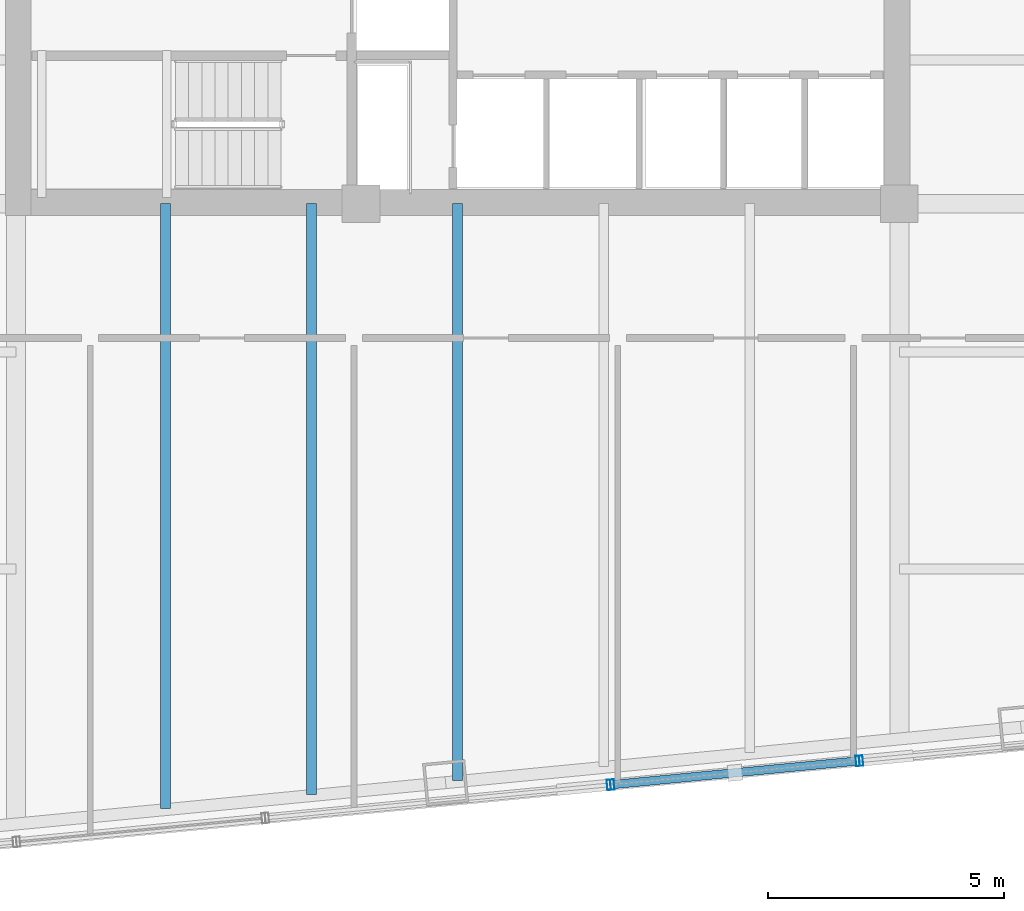
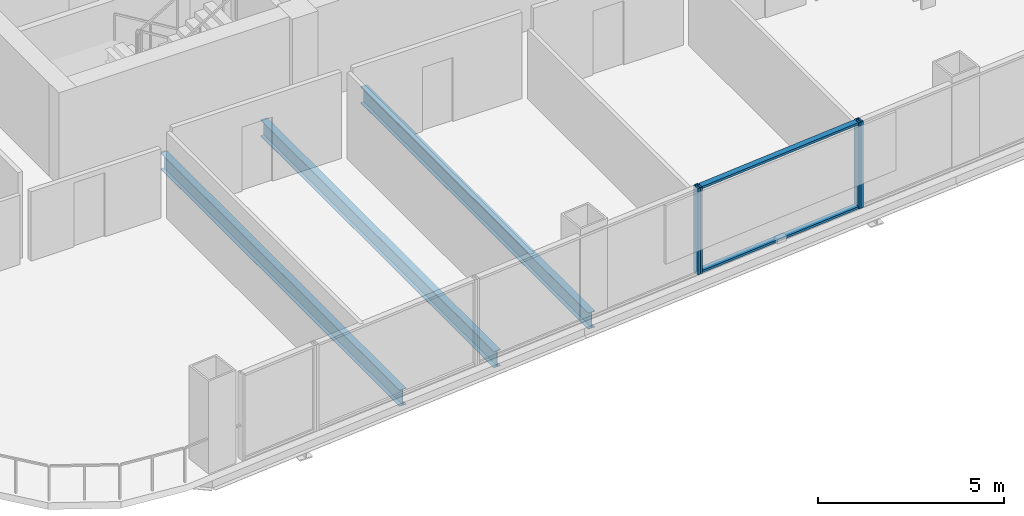
# One storey, part 5 of 27: 6 members, 3 beams, 3 elements without a shape of their own.
"""IFC4 building model written with IfcOpenShell, lengths in metres."""

from ifc_helpers import new_model, si_unit, direction, frame, origin, origin_2d, place, context, subcontext, project, spatial, hollow_rectangle, i_section, extrude, material, layer, layer_set, material_profile, profile_set, type_object, element, aggregate, save


model = new_model("IFC4")

# Units and contexts
model_context = context("Model", 3, precision=1e-05, world=origin(), true_north=direction((0.0, 1.0)))
body_context = subcontext(model_context, "Body", "Model", "MODEL_VIEW")
ifc_project = project(units=[si_unit("LENGTHUNIT", "METRE"), si_unit("AREAUNIT", "SQUARE_METRE"), si_unit("VOLUMEUNIT", "CUBIC_METRE"), si_unit("PLANEANGLEUNIT", "RADIAN"), si_unit("MASSUNIT", "GRAM", prefix="KILO")], contexts=[model_context])

# Site, building, storey
site_placement = place(None, origin())
site = spatial("IfcSite", under=ifc_project, at=site_placement, CompositionType="ELEMENT")
building_placement = place(site_placement, origin())
building = spatial("IfcBuilding", under=site, at=building_placement, Name="Qhalaya Broadcast Tower", CompositionType="ELEMENT")
storey_placement = place(building_placement, frame((0.0, 0.0, 84.699951171875)))
storey = spatial("IfcBuildingStorey", under=building, at=storey_placement, Name="L24", CompositionType="ELEMENT", Elevation=84.699951171875)

# Beams
ifc_material_1 = material(Name="Structural Steel ASTM A992 Grade 50", Category="steel")
ifc_material_profile_1 = material_profile(ifc_material_1, i_section(OverallWidth=0.2099609375, OverallDepth=0.535888671875, WebThickness=0.010986328125, FlangeThickness=0.017333984375, at=origin_2d()), Name="W21X68")
ifc_profile_set_1 = profile_set([ifc_material_profile_1], Name="Structural Steel ASTM A992 Grade 50")
beam_type = type_object("IfcBeamType", Name="Composite Floor Joist J02", PredefinedType="JOIST", material=ifc_profile_set_1)
beam_1_placement = place(storey_placement, frame((-6.199951171875, -21.589111328125, -0.488037109375), z_axis=(0.0, 1.0, 0.0), x_axis=(-1.0, 0.0, 0.0)))
element("IfcBeam", 1, at=beam_1_placement, inside=storey, type_object=beam_type, Name="L24 J02 L24-JNS1-1", PredefinedType="JOIST", context=body_context, shape_type="SweptSolid", body=[
    extrude(i_section(OverallWidth=0.2099609375, OverallDepth=0.535888671875, WebThickness=0.010986328125, FlangeThickness=0.017333984375, at=origin_2d()), origin(), (0.0, 0.0, 1.0), 12.839111328125),
])
beam_2_placement = place(storey_placement, frame((-3.10009765625, -21.290771484375, -0.488037109375), z_axis=(0.0, 1.0, 0.0), x_axis=(-1.0, 0.0, 0.0)))
element("IfcBeam", 2, at=beam_2_placement, inside=storey, type_object=beam_type, Name="L24 J02 L24-JNS2-1", PredefinedType="JOIST", context=body_context, shape_type="SweptSolid", body=[
    extrude(i_section(OverallWidth=0.2099609375, OverallDepth=0.535888671875, WebThickness=0.010986328125, FlangeThickness=0.017333984375, at=origin_2d()), origin(), (0.0, 0.0, 1.0), 12.540771484375),
])
beam_3_placement = place(storey_placement, frame((0.0, -20.9921875, -0.488037109375), z_axis=(0.0, 1.0, 0.0), x_axis=(-1.0, 0.0, 0.0)))
element("IfcBeam", 3, at=beam_3_placement, inside=storey, type_object=beam_type, Name="L24 J02 L24-JNS3-1", PredefinedType="JOIST", context=body_context, shape_type="SweptSolid", body=[
    extrude(i_section(OverallWidth=0.2099609375, OverallDepth=0.535888671875, WebThickness=0.010986328125, FlangeThickness=0.017333984375, at=origin_2d()), origin(), (0.0, 0.0, 1.0), 12.2421875),
])

# Curtain wall, member
ifc_material_2 = material(Name="Fired Architectural Terracotta", Category="masonry")
ifc_layer_1 = layer(ifc_material_2, 0.219970703125, Name="Fired Architectural Terracotta")
ifc_layer_set_1 = layer_set([ifc_layer_1], Name="Fired Architectural Terracotta")
curtain_wall_type_1 = type_object("IfcCurtainWallType", Name="Block-Cap Unitised Terracotta Spandrel Wall CW-07", PredefinedType="NOTDEFINED", material=ifc_layer_set_1)
curtain_wall_1_placement = place(storey_placement, origin())
curtain_wall_1 = element("IfcCurtainWall", 4, at=curtain_wall_1_placement, inside=storey, type_object=curtain_wall_type_1, Name="L24 Unitised Curtain Wall L24-CW-S3", PredefinedType="NOTDEFINED")
ifc_material_3 = material(Name="Anodised Aluminium 6063-T6", Category="aluminium")
ifc_material_profile_2 = material_profile(ifc_material_3, hollow_rectangle(XDim=0.074951171875, YDim=0.219970703125, WallThickness=0.00390625, at=origin_2d()), Name="ALU-MUL 75x220x4")
ifc_profile_set_2 = profile_set([ifc_material_profile_2], Name="Anodised Aluminium 6063-T6")
member_type_1 = type_object("IfcMemberType", Name="Unitised Curtain-Wall Mullion M01", PredefinedType="MULLION", material=ifc_profile_set_2)
member_1_placement = place(storey_placement, frame((3.208251953125, -21.085205078125, 0.0), z_axis=(0.0, 0.0, 1.0), x_axis=(0.995396450907, 0.095843129762, 0.0)))
member_1 = element("IfcMember", 5, at=member_1_placement, type_object=member_type_1, Name="CW-07 mullion 2", PredefinedType="MULLION", context=body_context, shape_type="SweptSolid", body=[
    extrude(hollow_rectangle(XDim=0.074951171875, YDim=0.219970703125, WallThickness=0.00390625, at=origin_2d()), origin(), (0.0, 0.0, 1.0), 2.830078125),
])
aggregate(curtain_wall_1, [member_1])

# Curtain wall, members
ifc_material_4 = material(Name="Solar-Control Low-E Triple Glazing", Category="glass")
ifc_layer_2 = layer(ifc_material_4, 0.219970703125, Name="Solar-Control Low-E Triple Glazing")
ifc_layer_set_2 = layer_set([ifc_layer_2], Name="Solar-Control Low-E Triple Glazing")
curtain_wall_type_2 = type_object("IfcCurtainWallType", Name="Even-Block 4-Storey Double-Module Curtain Wall CW-03", PredefinedType="NOTDEFINED", material=ifc_layer_set_2)
curtain_wall_2_placement = place(storey_placement, origin())
curtain_wall_2 = element("IfcCurtainWall", 6, at=curtain_wall_2_placement, inside=storey, type_object=curtain_wall_type_2, Name="L24 Unitised Curtain Wall L24-CW-S4", PredefinedType="NOTDEFINED")
member_2_placement = place(storey_placement, frame((3.28271484375, -21.078125, 0.0), z_axis=(0.0, 0.0, 1.0), x_axis=(0.995395483385, 0.095853177608, 0.0)))
member_2 = element("IfcMember", 7, at=member_2_placement, type_object=member_type_1, Name="CW-03 mullion 1", PredefinedType="MULLION", context=body_context, shape_type="SweptSolid", body=[
    extrude(hollow_rectangle(XDim=0.074951171875, YDim=0.219970703125, WallThickness=0.00390625, at=origin_2d()), origin(), (0.0, 0.0, 1.0), 2.830078125),
])
member_3_placement = place(storey_placement, frame((8.48974609375, -20.57666015625, 0.0), z_axis=(0.0, 0.0, 1.0), x_axis=(0.995395483385, 0.095853177608, 0.0)))
member_3 = element("IfcMember", 8, at=member_3_placement, type_object=member_type_1, Name="CW-03 mullion 2", PredefinedType="MULLION", context=body_context, shape_type="SweptSolid", body=[
    extrude(hollow_rectangle(XDim=0.074951171875, YDim=0.219970703125, WallThickness=0.00390625, at=origin_2d()), origin(), (0.0, 0.0, 1.0), 2.830078125),
])

# Curtain wall, member
curtain_wall_3_placement = place(storey_placement, origin())
curtain_wall_3 = element("IfcCurtainWall", 9, at=curtain_wall_3_placement, inside=storey, type_object=curtain_wall_type_1, Name="L24 Unitised Curtain Wall L24-CW-S5", PredefinedType="NOTDEFINED")
member_4_placement = place(storey_placement, frame((8.564453125, -20.5693359375, 0.0), z_axis=(0.0, 0.0, 1.0), x_axis=(0.995396450907, 0.095843129762, 0.0)))
member_4 = element("IfcMember", 10, at=member_4_placement, type_object=member_type_1, Name="CW-07 mullion 1", PredefinedType="MULLION", context=body_context, shape_type="SweptSolid", body=[
    extrude(hollow_rectangle(XDim=0.074951171875, YDim=0.219970703125, WallThickness=0.00390625, at=origin_2d()), origin(), (0.0, 0.0, 1.0), 2.830078125),
])
aggregate(curtain_wall_3, [member_4])

# Member
ifc_material_profile_3 = material_profile(ifc_material_3, hollow_rectangle(XDim=0.074951171875, YDim=0.179931640625, WallThickness=0.00390625, at=origin_2d()), Name="ALU-TRN 75x180x4")
ifc_profile_set_3 = profile_set([ifc_material_profile_3], Name="Anodised Aluminium 6063-T6")
member_type_2 = type_object("IfcMemberType", Name="Unitised Curtain-Wall Transom T01", PredefinedType="USERDEFINED", material=ifc_profile_set_3)
member_5_placement = place(storey_placement, frame((3.320068359375, -21.074462890625, 0.03759765625), z_axis=(0.995392531182, 0.095883830066, 0.0), x_axis=(0.0, 0.0, 1.0)))
member_5 = element("IfcMember", 11, at=member_5_placement, type_object=member_type_2, Name="CW-03 transom 1.1", ObjectType="TRANSOM", PredefinedType="USERDEFINED", context=body_context, shape_type="SweptSolid", body=[
    extrude(hollow_rectangle(XDim=0.074951171875, YDim=0.179931640625, WallThickness=0.00390625, at=origin_2d()), origin(), (0.0, 0.0, 1.0), 5.156005859375),
])

member_6_placement = place(storey_placement, frame((3.320068359375, -21.074462890625, 2.79248046875), z_axis=(0.995392531182, 0.095883830066, 0.0), x_axis=(0.0, 0.0, 1.0)))
member_6 = element("IfcMember", 12, at=member_6_placement, type_object=member_type_2, Name="CW-03 transom 1.2", ObjectType="TRANSOM", PredefinedType="USERDEFINED", context=body_context, shape_type="SweptSolid", body=[
    extrude(hollow_rectangle(XDim=0.074951171875, YDim=0.179931640625, WallThickness=0.00390625, at=origin_2d()), origin(), (0.0, 0.0, 1.0), 5.156005859375),
])

aggregate(curtain_wall_2, [member_2, member_3, member_5, member_6])

save(model, "model.ifc")
